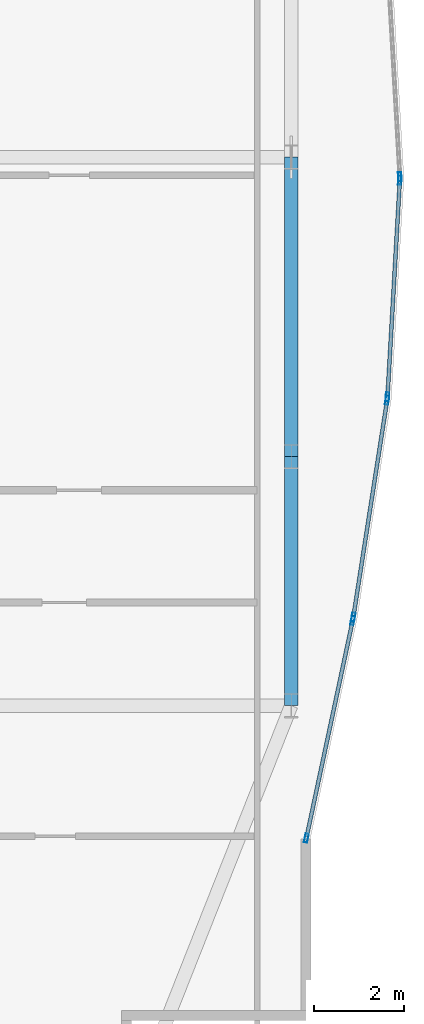
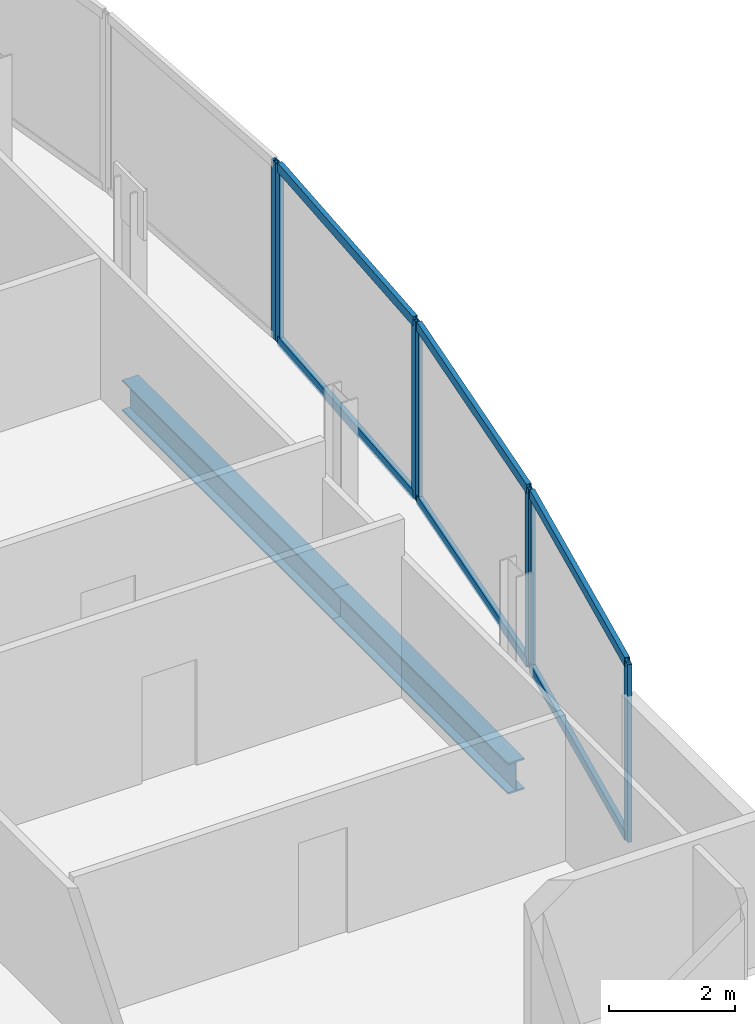
# One storey, part 21 of 29: 13 members, 2 beams, 4 elements without a shape of their own.
"""IFC4 building model written with IfcOpenShell, lengths in metres."""

from ifc_helpers import new_model, si_unit, direction, frame, origin, origin_2d, place, context, subcontext, project, spatial, hollow_rectangle, i_section, extrude, material, material_profile, profile_set, type_object, element, aggregate, save


model = new_model("IFC4")

# Units and contexts
model_context = context("Model", 3, precision=1e-05, world=origin(), true_north=direction((0.0, 1.0)))
body_context = subcontext(model_context, "Body", "Model", "MODEL_VIEW")
ifc_project = project(units=[si_unit("LENGTHUNIT", "METRE"), si_unit("AREAUNIT", "SQUARE_METRE"), si_unit("VOLUMEUNIT", "CUBIC_METRE"), si_unit("PLANEANGLEUNIT", "RADIAN"), si_unit("MASSUNIT", "GRAM", prefix="KILO")], contexts=[model_context])

# Site, building, storey
site_placement = place(None, origin())
site = spatial("IfcSite", under=ifc_project, at=site_placement, CompositionType="ELEMENT")
building_placement = place(site_placement, origin())
building = spatial("IfcBuilding", under=site, at=building_placement, Name="Khoronbel Lancet Exchange", CompositionType="ELEMENT")
storey_placement = place(building_placement, frame((0.0, 0.0, 165.0)))
storey = spatial("IfcBuildingStorey", under=building, at=storey_placement, Name="L41", CompositionType="ELEMENT", Elevation=165.0)

# Beams
ifc_material_1 = material(Name="Steel S355", Category="steel")
ifc_material_profile_1 = material_profile(ifc_material_1, i_section(OverallWidth=0.300048828125, OverallDepth=0.60009765625, WebThickness=0.015380859375, FlangeThickness=0.030029296875, at=origin_2d()), Name="HEB 600")
ifc_profile_set_1 = profile_set([ifc_material_profile_1], Name="Steel S355")
beam_type = type_object("IfcBeamType", Name="BM-BSP2", PredefinedType="SPANDREL", material=ifc_profile_set_1)
beam_1_placement = place(storey_placement, frame((67.6298828125, 19.199951171875, -0.4599609375), z_axis=(0.0, 1.0, 0.0), x_axis=(-1.0, 0.0, 0.0)))
element("IfcBeam", 1, at=beam_1_placement, inside=storey, type_object=beam_type, Name="Level L41 perimeter spandrel beam SP11", PredefinedType="SPANDREL", context=body_context, shape_type="SweptSolid", body=[
    extrude(i_section(OverallWidth=0.300048828125, OverallDepth=0.60009765625, WebThickness=0.015380859375, FlangeThickness=0.030029296875, at=origin_2d()), origin(), (0.0, 0.0, 1.0), 5.550048828125),
])
beam_2_placement = place(storey_placement, frame((67.6298828125, 24.75, -0.4599609375), z_axis=(0.0, 1.0, 0.0), x_axis=(-1.0, 0.0, 0.0)))
element("IfcBeam", 2, at=beam_2_placement, inside=storey, type_object=beam_type, Name="Level L41 perimeter spandrel beam SP12", PredefinedType="SPANDREL", context=body_context, shape_type="SweptSolid", body=[
    extrude(i_section(OverallWidth=0.300048828125, OverallDepth=0.60009765625, WebThickness=0.015380859375, FlangeThickness=0.030029296875, at=origin_2d()), origin(), (0.0, 0.0, 1.0), 6.675048828125),
])

# Curtain wall, member
ifc_material_2 = material(Name="Low-E Solar Control Insulating Glass", Category="glass")
curtain_wall_type = type_object("IfcCurtainWallType", Name="CW-4", PredefinedType="NOTDEFINED", material=ifc_material_2)
curtain_wall_1_placement = place(storey_placement, origin())
curtain_wall_1 = element("IfcCurtainWall", 3, at=curtain_wall_1_placement, inside=storey, type_object=curtain_wall_type, Name="Unitised curtain wall CW-L41-E19", PredefinedType="NOTDEFINED")
ifc_material_3 = material(Name="Bronze-Anodised Aluminium 6063-T6", Category="aluminium")
ifc_material_profile_2 = material_profile(ifc_material_3, hollow_rectangle(XDim=0.074951171875, YDim=0.199951171875, WallThickness=0.0048828125, at=origin_2d()), Name="ALU MULLION 75x200")
ifc_profile_set_2 = profile_set([ifc_material_profile_2], Name="Bronze-Anodised Aluminium 6063-T6")
member_type_1 = type_object("IfcMemberType", Name="MEM-CWM2", PredefinedType="MULLION", material=ifc_profile_set_2)
member_1_placement = place(storey_placement, frame((70.051513671875, 30.987548828125, 0.0), z_axis=(0.0, 0.0, 1.0), x_axis=(0.998376098551, 0.056966357111, 0.0)))
member_1 = element("IfcMember", 4, at=member_1_placement, type_object=member_type_1, Name="CW4 mullion 2", PredefinedType="MULLION", context=body_context, shape_type="SweptSolid", body=[
    extrude(hollow_rectangle(XDim=0.074951171875, YDim=0.199951171875, WallThickness=0.0048828125, at=origin_2d()), origin(), (0.0, 0.0, 1.0), 3.43994140625),
])
aggregate(curtain_wall_1, [member_1])

# Curtain wall, members
curtain_wall_2_placement = place(storey_placement, origin())
curtain_wall_2 = element("IfcCurtainWall", 5, at=curtain_wall_2_placement, inside=storey, type_object=curtain_wall_type, Name="Unitised curtain wall CW-L41-E20", PredefinedType="NOTDEFINED")
member_2_placement = place(storey_placement, frame((70.051513671875, 30.91259765625, 0.0), z_axis=(0.0, 0.0, 1.0), x_axis=(0.998376098551, -0.056966357111, 0.0)))
member_2 = element("IfcMember", 6, at=member_2_placement, type_object=member_type_1, Name="CW4 mullion 1", PredefinedType="MULLION", context=body_context, shape_type="SweptSolid", body=[
    extrude(hollow_rectangle(XDim=0.074951171875, YDim=0.199951171875, WallThickness=0.0048828125, at=origin_2d()), origin(), (0.0, 0.0, 1.0), 3.43994140625),
])
member_3_placement = place(storey_placement, frame((69.775634765625, 26.080322265625, 0.0), z_axis=(0.0, 0.0, 1.0), x_axis=(0.998376098551, -0.056966357111, 0.0)))
member_3 = element("IfcMember", 7, at=member_3_placement, type_object=member_type_1, Name="CW4 mullion 2", PredefinedType="MULLION", context=body_context, shape_type="SweptSolid", body=[
    extrude(hollow_rectangle(XDim=0.074951171875, YDim=0.199951171875, WallThickness=0.0048828125, at=origin_2d()), origin(), (0.0, 0.0, 1.0), 3.43994140625),
])

curtain_wall_3_placement = place(storey_placement, origin())
curtain_wall_3 = element("IfcCurtainWall", 8, at=curtain_wall_3_placement, inside=storey, type_object=curtain_wall_type, Name="Unitised curtain wall CW-L41-E21", PredefinedType="NOTDEFINED")
member_4_placement = place(storey_placement, frame((69.767822265625, 26.005859375, 0.0), z_axis=(0.0, 0.0, 1.0), x_axis=(0.988068944091, -0.154012212903, 0.0)))
member_4 = element("IfcMember", 9, at=member_4_placement, type_object=member_type_1, Name="CW4 mullion 1", PredefinedType="MULLION", context=body_context, shape_type="SweptSolid", body=[
    extrude(hollow_rectangle(XDim=0.074951171875, YDim=0.199951171875, WallThickness=0.0048828125, at=origin_2d()), origin(), (0.0, 0.0, 1.0), 3.43994140625),
])
member_5_placement = place(storey_placement, frame((69.01416015625, 21.170166015625, 0.0), z_axis=(0.0, 0.0, 1.0), x_axis=(0.988068944091, -0.154012212903, 0.0)))
member_5 = element("IfcMember", 10, at=member_5_placement, type_object=member_type_1, Name="CW4 mullion 2", PredefinedType="MULLION", context=body_context, shape_type="SweptSolid", body=[
    extrude(hollow_rectangle(XDim=0.074951171875, YDim=0.199951171875, WallThickness=0.0048828125, at=origin_2d()), origin(), (0.0, 0.0, 1.0), 3.43994140625),
])

curtain_wall_4_placement = place(storey_placement, origin())
curtain_wall_4 = element("IfcCurtainWall", 11, at=curtain_wall_4_placement, inside=storey, type_object=curtain_wall_type, Name="Unitised curtain wall CW-L41-E22", PredefinedType="NOTDEFINED")
member_6_placement = place(storey_placement, frame((69.00048828125, 21.096435546875, 0.0), z_axis=(0.0, 0.0, 1.0), x_axis=(0.978075720441, -0.208249574031, 0.0)))
member_6 = element("IfcMember", 12, at=member_6_placement, type_object=member_type_1, Name="CW4 mullion 1", PredefinedType="MULLION", context=body_context, shape_type="SweptSolid", body=[
    extrude(hollow_rectangle(XDim=0.074951171875, YDim=0.199951171875, WallThickness=0.0048828125, at=origin_2d()), origin(), (0.0, 0.0, 1.0), 3.43994140625),
])
member_7_placement = place(storey_placement, frame((67.9677734375, 16.24609375, 0.0), z_axis=(0.0, 0.0, 1.0), x_axis=(0.978075720441, -0.208249574031, 0.0)))
member_7 = element("IfcMember", 13, at=member_7_placement, type_object=member_type_1, Name="CW4 mullion 2", PredefinedType="MULLION", context=body_context, shape_type="SweptSolid", body=[
    extrude(hollow_rectangle(XDim=0.074951171875, YDim=0.199951171875, WallThickness=0.0048828125, at=origin_2d()), origin(), (0.0, 0.0, 1.0), 3.43994140625),
])

# Member
ifc_material_profile_3 = material_profile(ifc_material_3, hollow_rectangle(XDim=0.0849609375, YDim=0.179931640625, WallThickness=0.0048828125, at=origin_2d()), Name="ALU TRANSOM 85x180")
ifc_profile_set_3 = profile_set([ifc_material_profile_3], Name="Bronze-Anodised Aluminium 6063-T6")
member_type_2 = type_object("IfcMemberType", Name="MEM-CWT1", PredefinedType="USERDEFINED", material=ifc_profile_set_3)
member_8_placement = place(storey_placement, frame((70.04931640625, 30.875, 0.04248046875), z_axis=(-0.056973916756, -0.998375667176, 0.0), x_axis=(0.998375667176, -0.056973916756, 0.0)))
member_8 = element("IfcMember", 14, at=member_8_placement, type_object=member_type_2, Name="CW4 transom 1.1", ObjectType="TRANSOM", PredefinedType="USERDEFINED", context=body_context, shape_type="SweptSolid", body=[
    extrude(hollow_rectangle(XDim=0.0849609375, YDim=0.179931640625, WallThickness=0.0048828125, at=origin_2d()), origin(), (0.0, 0.0, 1.0), 4.76513671875),
])

member_9_placement = place(storey_placement, frame((70.04931640625, 30.875, 3.3974609375), z_axis=(-0.056973916756, -0.998375667176, 0.0), x_axis=(0.998375667176, -0.056973916756, 0.0)))
member_9 = element("IfcMember", 15, at=member_9_placement, type_object=member_type_2, Name="CW4 transom 1.2", ObjectType="TRANSOM", PredefinedType="USERDEFINED", context=body_context, shape_type="SweptSolid", body=[
    extrude(hollow_rectangle(XDim=0.0849609375, YDim=0.179931640625, WallThickness=0.0048828125, at=origin_2d()), origin(), (0.0, 0.0, 1.0), 4.76513671875),
])

aggregate(curtain_wall_2, [member_2, member_3, member_8, member_9])

member_10_placement = place(storey_placement, frame((69.761962890625, 25.96875, 0.04248046875), z_axis=(-0.154005975471, -0.988069916311, 0.0), x_axis=(0.988069916311, -0.154005975471, 0.0)))
member_10 = element("IfcMember", 16, at=member_10_placement, type_object=member_type_2, Name="CW4 transom 1.1", ObjectType="TRANSOM", PredefinedType="USERDEFINED", context=body_context, shape_type="SweptSolid", body=[
    extrude(hollow_rectangle(XDim=0.0849609375, YDim=0.179931640625, WallThickness=0.0048828125, at=origin_2d()), origin(), (0.0, 0.0, 1.0), 4.819091796875),
])

member_11_placement = place(storey_placement, frame((69.761962890625, 25.96875, 3.3974609375), z_axis=(-0.154005975471, -0.988069916311, 0.0), x_axis=(0.988069916311, -0.154005975471, 0.0)))
member_11 = element("IfcMember", 17, at=member_11_placement, type_object=member_type_2, Name="CW4 transom 1.2", ObjectType="TRANSOM", PredefinedType="USERDEFINED", context=body_context, shape_type="SweptSolid", body=[
    extrude(hollow_rectangle(XDim=0.0849609375, YDim=0.179931640625, WallThickness=0.0048828125, at=origin_2d()), origin(), (0.0, 0.0, 1.0), 4.819091796875),
])

aggregate(curtain_wall_3, [member_4, member_5, member_10, member_11])

member_12_placement = place(storey_placement, frame((68.99267578125, 21.0595703125, 0.04248046875), z_axis=(-0.208262312878, -0.978073008029, 0.0), x_axis=(0.978073008029, -0.208262312878, 0.0)))
member_12 = element("IfcMember", 18, at=member_12_placement, type_object=member_type_2, Name="CW4 transom 1.1", ObjectType="TRANSOM", PredefinedType="USERDEFINED", context=body_context, shape_type="SweptSolid", body=[
    extrude(hollow_rectangle(XDim=0.0849609375, YDim=0.179931640625, WallThickness=0.0048828125, at=origin_2d()), origin(), (0.0, 0.0, 1.0), 4.8837890625),
])

member_13_placement = place(storey_placement, frame((68.99267578125, 21.0595703125, 3.3974609375), z_axis=(-0.208262312878, -0.978073008029, 0.0), x_axis=(0.978073008029, -0.208262312878, 0.0)))
member_13 = element("IfcMember", 19, at=member_13_placement, type_object=member_type_2, Name="CW4 transom 1.2", ObjectType="TRANSOM", PredefinedType="USERDEFINED", context=body_context, shape_type="SweptSolid", body=[
    extrude(hollow_rectangle(XDim=0.0849609375, YDim=0.179931640625, WallThickness=0.0048828125, at=origin_2d()), origin(), (0.0, 0.0, 1.0), 4.8837890625),
])

aggregate(curtain_wall_4, [member_6, member_7, member_12, member_13])

save(model, "model.ifc")
